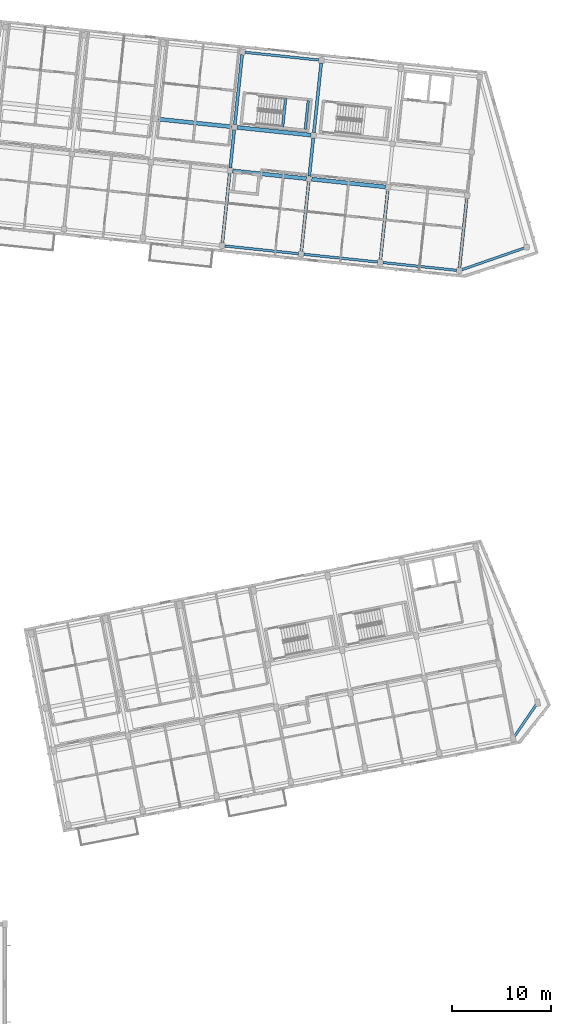
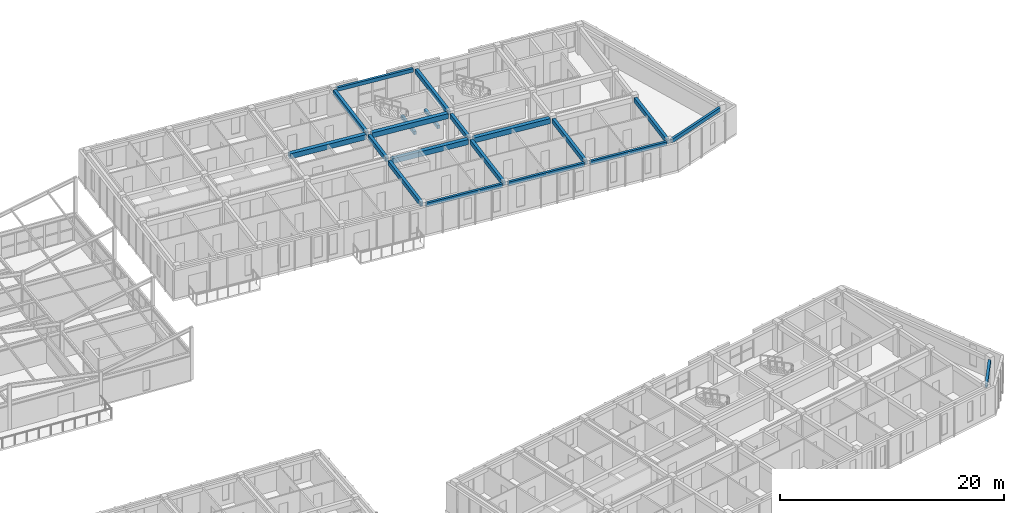
# One storey, part 59 of 127: 20 beams.
"""IFC4 building model written with IfcOpenShell, lengths in metres."""

from ifc_helpers import new_model, si_unit, direction, frame, origin, origin_2d, place, context, subcontext, project, spatial, rectangle, extrude, material, material_profile, profile_set, type_object, element, save


model = new_model("IFC4")

# Units and contexts
model_context = context("Model", 3, precision=1e-05, world=origin(), true_north=direction((0.0, 1.0)))
body_context = subcontext(model_context, "Body", "Model", "MODEL_VIEW")
ifc_project = project(units=[si_unit("LENGTHUNIT", "METRE"), si_unit("AREAUNIT", "SQUARE_METRE"), si_unit("VOLUMEUNIT", "CUBIC_METRE"), si_unit("PLANEANGLEUNIT", "RADIAN"), si_unit("MASSUNIT", "GRAM", prefix="KILO")], contexts=[model_context])

# Site, building, storey
site_placement = place(None, origin())
site = spatial("IfcSite", under=ifc_project, at=site_placement, CompositionType="ELEMENT")
building_placement = place(site_placement, origin())
building = spatial("IfcBuilding", under=site, at=building_placement, Name="Kestramere Prow Commons", CompositionType="ELEMENT")
storey_placement = place(building_placement, frame((0.0, 0.0, 8.39990234375)))
storey = spatial("IfcBuildingStorey", under=building, at=storey_placement, Name="L02", CompositionType="ELEMENT", Elevation=8.39990234375)

# Beams
ifc_material_1 = material(Name="Precast concrete C40/50", Category="concrete")
ifc_material_profile_1 = material_profile(ifc_material_1, rectangle(XDim=0.39990234375, YDim=0.550048828125, at=origin_2d()), Name="PC-BM 400x550")
ifc_profile_set_1 = profile_set([ifc_material_profile_1], Name="Precast concrete C40/50")
beam_type_1 = type_object("IfcBeamType", Name="BM-B1 PC-BM 400x550", PredefinedType="BEAM", material=ifc_profile_set_1)
for number, where, z_axis, x_axis, name in (
    (1, (134.9365234375, 99.821044921875, 2.72509765625), (0.994520884665, -0.104538079019, 0.0), (0.104538079019, 0.994520884665, 0.0), "Block B L02 Longitudinal Beam 2-4"),
    (2, (142.892578125, 98.984619140625, 2.72509765625), (0.994524291149, -0.104505666419, 0.0), (0.104505666419, 0.994524291149, 0.0), "Block B L02 Longitudinal Beam 2-5"),
    (3, (127.440185546875, 105.032958984375, 2.72509765625), (0.994524291149, -0.104505666419, 0.0), (0.104505666419, 0.994524291149, 0.0), "Block B L02 Longitudinal Beam 3-3"),
):
    element("IfcBeam", number, at=place(storey_placement, frame(where, z_axis=z_axis, x_axis=x_axis)), inside=storey, type_object=beam_type_1, Name=name, PredefinedType="BEAM", context=body_context, shape_type="SweptSolid", body=[
        extrude(rectangle(XDim=0.39990234375, YDim=0.550048828125, at=origin_2d()), origin(), (0.0, 0.0, 1.0), 7.449951171875),
    ])
beam_1_placement = place(storey_placement, frame((135.396240234375, 104.19677734375, 2.72509765625), z_axis=(0.994524649035, -0.104502260561, 0.0), x_axis=(0.104502260561, 0.994524649035, 0.0)))
element("IfcBeam", 4, at=beam_1_placement, inside=storey, type_object=beam_type_1, Name="Block B L02 Longitudinal Beam 3-4", PredefinedType="BEAM", context=body_context, shape_type="SweptSolid", body=[
    extrude(rectangle(XDim=0.39990234375, YDim=0.550048828125, at=origin_2d()), origin(), (0.0, 0.0, 1.0), 7.4501953125),
])
ifc_material_2 = material(Name="Concrete C40/50", Category="concrete")
ifc_material_profile_2 = material_profile(ifc_material_2, rectangle(XDim=0.25, YDim=0.35009765625, at=origin_2d()), Name="PC-BM 250x350")
ifc_profile_set_2 = profile_set([ifc_material_profile_2], Name="Concrete C40/50")
beam_type_2 = type_object("IfcBeamType", Name="BM-ST-TRIM", PredefinedType="BEAM", material=ifc_profile_set_2)
for number, where, z_axis, x_axis, name in (
    (5, (139.971923828125, 104.248779296875, 1.25), (0.104495697268, 0.994525338668, 0.0), (-0.994525338668, 0.104495697268, 0.0), "ST-B1 L02 Landing Trimmer Beam 1A"),
    (6, (142.2392578125, 104.010498046875, 1.25), (0.104579248847, 0.994516556278, 0.0), (-0.994516556278, 0.104579248847, 0.0), "ST-B1 L02 Landing Trimmer Beam 1B"),
):
    element("IfcBeam", number, at=place(storey_placement, frame(where, z_axis=z_axis, x_axis=x_axis)), inside=storey, type_object=beam_type_2, Name=name, PredefinedType="BEAM", context=body_context, shape_type="SweptSolid", body=[
        extrude(rectangle(XDim=0.25, YDim=0.35009765625, at=origin_2d()), origin(), (0.0, 0.0, 1.0), 2.89013671875),
    ])
ifc_material_profile_3 = material_profile(ifc_material_1, rectangle(XDim=0.300048828125, YDim=0.5, at=origin_2d()), Name="PC-BM 300x500")
ifc_profile_set_3 = profile_set([ifc_material_profile_3], Name="Precast concrete C40/50")
beam_type_3 = type_object("IfcBeamType", Name="BM-TIE-01 PC-BM 300x500", PredefinedType="BEAM", material=ifc_profile_set_3)
beam_2_placement = place(storey_placement, frame((133.897216796875, 92.564697265625, 2.75), z_axis=(0.104545981508, 0.994520053971, 0.0), x_axis=(-0.994520053971, 0.104545981508, 0.0)))
element("IfcBeam", 7, at=beam_2_placement, inside=storey, type_object=beam_type_3, Name="Block B L02 Transverse Beam 4-1", PredefinedType="BEAM", context=body_context, shape_type="SweptSolid", body=[
    extrude(rectangle(XDim=0.300048828125, YDim=0.5, at=origin_2d()), origin(), (0.0, 0.0, 1.0), 7.050048828125),
])
beam_3_placement = place(storey_placement, frame((134.691650390625, 100.123291015625, 2.75), z_axis=(0.104569249198, 0.994517607749, 0.0), x_axis=(-0.994517607749, 0.104569249198, 0.0)))
element("IfcBeam", 8, at=beam_3_placement, inside=storey, type_object=beam_type_3, Name="Block B L02 Transverse Beam 4-2", PredefinedType="BEAM", context=body_context, shape_type="SweptSolid", body=[
    extrude(rectangle(XDim=0.300048828125, YDim=0.5, at=origin_2d()), origin(), (0.0, 0.0, 1.0), 3.849853515625),
])
for number, where, z_axis, x_axis, name in (
    (9, (135.151611328125, 104.4990234375, 2.75), (0.104511730475, 0.994523653913, 0.0), (-0.994523653913, 0.104511730475, 0.0), "Block B L02 Transverse Beam 4-3"),
    (10, (141.853515625, 91.728515625, 2.75), (0.104511730475, 0.994523653913, 0.0), (-0.994523653913, 0.104511730475, 0.0), "Block B L02 Transverse Beam 5-1"),
):
    element("IfcBeam", number, at=place(storey_placement, frame(where, z_axis=z_axis, x_axis=x_axis)), inside=storey, type_object=beam_type_3, Name=name, PredefinedType="BEAM", context=body_context, shape_type="SweptSolid", body=[
        extrude(rectangle(XDim=0.300048828125, YDim=0.5, at=origin_2d()), origin(), (0.0, 0.0, 1.0), 7.050048828125),
    ])
beam_4_placement = place(storey_placement, frame((142.64794921875, 99.286865234375, 2.75), z_axis=(0.104499937761, 0.994524893106, 0.0), x_axis=(-0.994524893106, 0.104499937761, 0.0)))
element("IfcBeam", 11, at=beam_4_placement, inside=storey, type_object=beam_type_3, Name="Block B L02 Transverse Beam 5-2", PredefinedType="BEAM", context=body_context, shape_type="SweptSolid", body=[
    extrude(rectangle(XDim=0.300048828125, YDim=0.5, at=origin_2d()), origin(), (0.0, 0.0, 1.0), 3.85009765625),
])
for number, where, z_axis, x_axis, name in (
    (12, (143.107666015625, 103.662841796875, 2.75), (0.104545981508, 0.994520053971, 0.0), (-0.994520053971, 0.104545981508, 0.0), "Block B L02 Transverse Beam 5-3"),
    (13, (149.8095703125, 90.892333984375, 2.75), (0.104545981508, 0.994520053971, 0.0), (-0.994520053971, 0.104545981508, 0.0), "Block B L02 Transverse Beam 6-1"),
    (14, (157.765869140625, 90.05615234375, 2.75), (0.104511730475, 0.994523653913, 0.0), (-0.994523653913, 0.104511730475, 0.0), "Block B L02 Transverse Beam 7-1"),
):
    element("IfcBeam", number, at=place(storey_placement, frame(where, z_axis=z_axis, x_axis=x_axis)), inside=storey, type_object=beam_type_3, Name=name, PredefinedType="BEAM", context=body_context, shape_type="SweptSolid", body=[
        extrude(rectangle(XDim=0.300048828125, YDim=0.5, at=origin_2d()), origin(), (0.0, 0.0, 1.0), 7.050048828125),
    ])
ifc_material_profile_4 = material_profile(ifc_material_1, rectangle(XDim=0.25, YDim=0.39990234375, at=origin_2d()), Name="PC-SP 250x400")
ifc_profile_set_4 = profile_set([ifc_material_profile_4], Name="Precast concrete C40/50")
beam_type_4 = type_object("IfcBeamType", Name="SP-EXT-01 PC-SP 250x400", PredefinedType="SPANDREL", material=ifc_profile_set_4)
beam_5_placement = place(storey_placement, frame((158.00146484375, 89.87451171875, 2.800048828125), z_axis=(0.944739829863, 0.327821069901, 0.0), x_axis=(-0.327821069901, 0.944739829863, 0.0)))
element("IfcBeam", 15, at=beam_5_placement, inside=storey, type_object=beam_type_4, Name="Block B L02 Prow Facet Beam S", PredefinedType="SPANDREL", context=body_context, shape_type="SweptSolid", body=[
    extrude(rectangle(XDim=0.25, YDim=0.39990234375, at=origin_2d()), origin(), (0.0, 0.0, 1.0), 6.619873046875),
])
for number, where, z_axis, x_axis, name in (
    (16, (134.14208984375, 92.262451171875, 2.800048828125), (0.994524291149, -0.104505666419, 0.0), (0.104505666419, 0.994524291149, 0.0), "Block B L02 Longitudinal Beam 1-4"),
    (17, (142.09814453125, 91.42626953125, 2.800048828125), (0.994524291149, -0.104505666419, 0.0), (0.104505666419, 0.994524291149, 0.0), "Block B L02 Longitudinal Beam 1-5"),
    (18, (150.054443359375, 90.590087890625, 2.800048828125), (0.994520884665, -0.104538079019, 0.0), (0.104538079019, 0.994520884665, 0.0), "Block B L02 Longitudinal Beam 1-6"),
    (19, (136.190673828125, 111.755126953125, 2.800048828125), (0.994524291149, -0.104505666419, 0.0), (0.104505666419, 0.994524291149, 0.0), "Block B L02 Longitudinal Beam 4-4"),
):
    element("IfcBeam", number, at=place(storey_placement, frame(where, z_axis=z_axis, x_axis=x_axis)), inside=storey, type_object=beam_type_4, Name=name, PredefinedType="SPANDREL", context=body_context, shape_type="SweptSolid", body=[
        extrude(rectangle(XDim=0.25, YDim=0.39990234375, at=origin_2d()), origin(), (0.0, 0.0, 1.0), 7.449951171875),
    ])
beam_6_placement = place(storey_placement, frame((163.320556640625, 42.931640625, 2.800048828125), z_axis=(0.565935255914, 0.824449686829, 0.0), x_axis=(-0.824449686829, 0.565935255914, 0.0)))
element("IfcBeam", 20, at=beam_6_placement, inside=storey, type_object=beam_type_4, Name="Block D L02 Prow Facet Beam S", PredefinedType="SPANDREL", context=body_context, shape_type="SweptSolid", body=[
    extrude(rectangle(XDim=0.25, YDim=0.39990234375, at=origin_2d()), origin(), (0.0, 0.0, 1.0), 3.788818359375),
])

save(model, "model.ifc")
